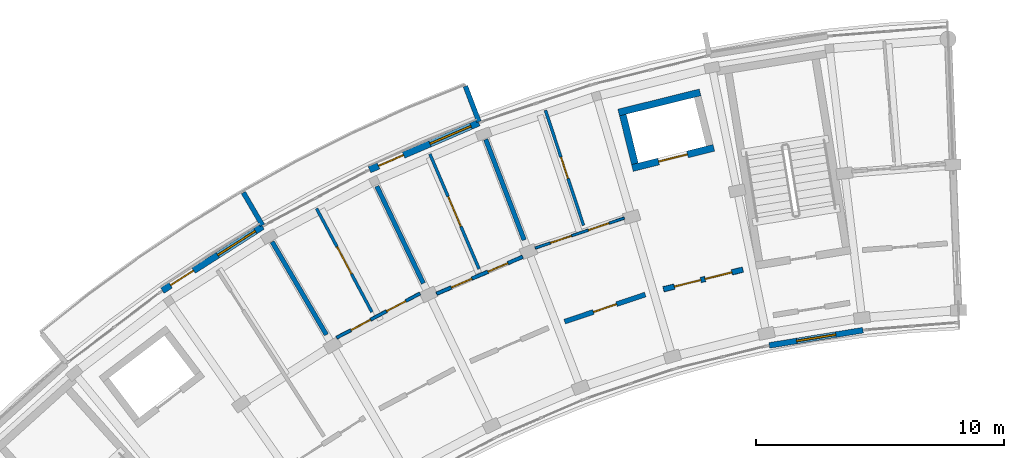
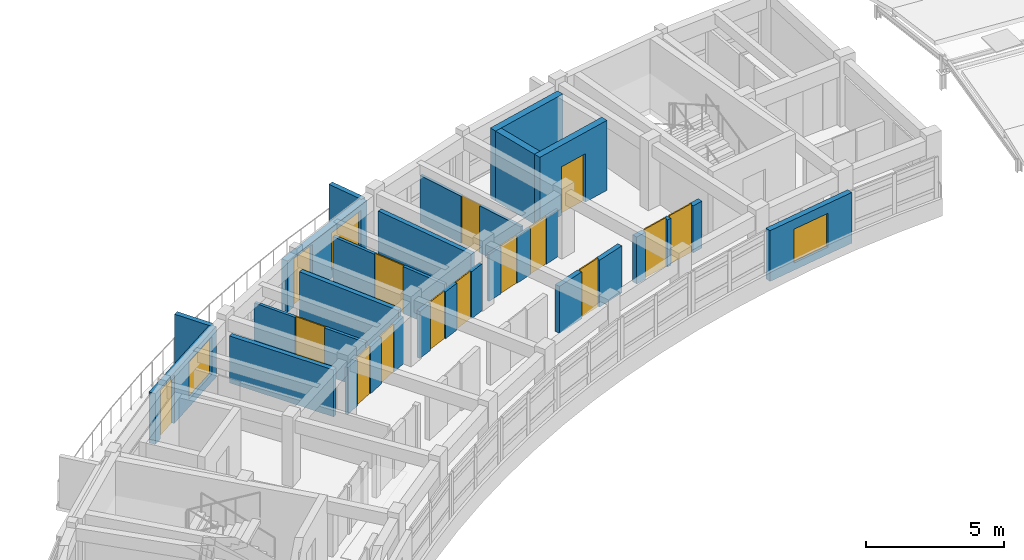
# One storey, part 16 of 20: 19 walls, 15 doors, 3 windows, 18 openings.
"""IFC4 building model written with IfcOpenShell, lengths in metres."""

from ifc_helpers import new_model, si_unit, direction, frame, frame_2d, origin, place, context, subcontext, project, spatial, rectangle, extrude, material, layer, layer_set, type_object, element, fill, save


model = new_model("IFC4")

# Units and contexts
model_context = context("Model", 3, precision=1e-05, world=origin(), true_north=direction((0.0, 1.0)))
body_context = subcontext(model_context, "Body", "Model", "MODEL_VIEW")
ifc_project = project(units=[si_unit("LENGTHUNIT", "METRE"), si_unit("AREAUNIT", "SQUARE_METRE"), si_unit("VOLUMEUNIT", "CUBIC_METRE"), si_unit("PLANEANGLEUNIT", "RADIAN"), si_unit("MASSUNIT", "GRAM", prefix="KILO")], contexts=[model_context])

# Site, building, storey
site_placement = place(None, origin())
site = spatial("IfcSite", under=ifc_project, at=site_placement, CompositionType="ELEMENT")
building_placement = place(site_placement, origin())
building = spatial("IfcBuilding", under=site, at=building_placement, Name="Zimvara Arc Housing Community", CompositionType="ELEMENT")
storey_placement = place(building_placement, frame((0.0, 0.0, 39.10009765625)))
storey = spatial("IfcBuildingStorey", under=building, at=storey_placement, Name="L12", CompositionType="ELEMENT", Elevation=39.10009765625)

# Wall, opening, window
ifc_material_1 = material(Name="Board-Marked Fair-Faced Concrete C35/45", Category="concrete")
ifc_layer_1 = layer(ifc_material_1, 0.22998046875)
ifc_layer_set_1 = layer_set([ifc_layer_1], Name="Board-Marked Fair-Faced Concrete C35/45")
wall_type_1 = type_object("IfcWallType", Name="EWL-CONC-230", PredefinedType="SOLIDWALL", material=ifc_layer_set_1)
wall_1_placement = place(storey_placement, frame((35.51708984375, 90.96142578125, 0.0), z_axis=(0.0, 0.0, 1.0), x_axis=(0.987080708519, 0.160223827412, 0.0)))
wall_1 = element("IfcWall", 1, at=wall_1_placement, inside=storey, type_object=wall_type_1, Name="ewall:blkA:L12:in:b8", PredefinedType="SOLIDWALL", context=body_context, shape_type="SweptSolid", body=[
    extrude(rectangle(XDim=3.832275390625, YDim=0.22998046875, at=frame_2d((1.916015625, 0.0))), origin(), (0.0, 0.0, 1.0), 2.25),
])
opening_1_placement = place(wall_1_placement, frame((1.1162109375, 0.0, 0.320068359375)))
opening_1 = element("IfcOpeningElement", 2, at=opening_1_placement, cuts=wall_1, Name="Opening W03", PredefinedType="OPENING", context=body_context, shape_type="SweptSolid", body=[
    extrude(rectangle(XDim=1.60009765625, YDim=1.5, at=frame_2d((0.800048828125, 0.75))), frame((0.0, 0.125, 0.0), z_axis=(0.0, -1.0, 0.0), x_axis=(1.0, 0.0, 0.0)), (0.0, 0.0, 1.0), 0.25),
])
ifc_material_2 = material(Name="Solar Control Low-E Double Glazing", Category="glass")
window_type_1 = type_object("IfcWindowType", Name="WIN-RES-1600x1500", PartitioningType="DOUBLE_PANEL_VERTICAL", PredefinedType="WINDOW", material=ifc_material_2)
window_1_placement = place(opening_1_placement, origin())
window_1 = element("IfcWindow", 3, at=window_1_placement, inside=storey, type_object=window_type_1, Name="win:blkA:L12:in:b8", OverallHeight=1.5, OverallWidth=1.60009765625, PartitioningType="DOUBLE_PANEL_VERTICAL", PredefinedType="WINDOW", context=body_context, shape_type="SweptSolid", body=[
    extrude(rectangle(XDim=1.60009765625, YDim=1.5, at=frame_2d((0.800048828125, 0.75))), frame((0.0, 0.030029296875, 0.0), z_axis=(0.0, -1.0, 0.0), x_axis=(1.0, 0.0, 0.0)), (0.0, 0.0, 1.0), 0.06005859375),
])
fill(opening_1, window_1)

# Walls
ifc_material_3 = material(Name="Board-Marked Fair-Faced Concrete C35/45", Category="concrete")
ifc_layer_2 = layer(ifc_material_3, 0.195068359375)
ifc_layer_set_2 = layer_set([ifc_layer_2], Name="Board-Marked Fair-Faced Concrete C35/45")
wall_type_2 = type_object("IfcWallType", Name="EWL-PARA-195", PredefinedType="PARAPET", material=ifc_layer_set_2)
for number, where, z_axis, x_axis, name in (
    (4, (15.038818359375, 95.8134765625, 0.0), (0.0, 0.0, 1.0), (-0.504228145431, 0.863570481985, 0.0), "finwall:blkA:L12:out:b4"),
    (5, (23.783203125, 100.0029296875, 0.0), (0.0, 0.0, 1.0), (-0.356957296461, 0.934120703391, 0.0), "finwall:blkA:L12:out:b6"),
):
    element("IfcWall", number, at=place(storey_placement, frame(where, z_axis=z_axis, x_axis=x_axis)), inside=storey, type_object=wall_type_2, Name=name, PredefinedType="PARAPET", context=body_context, shape_type="SweptSolid", body=[
        extrude(rectangle(XDim=1.530029296875, YDim=0.195068359375, at=frame_2d((0.76513671875, 0.0))), origin(), (0.0, 0.0, 1.0), 2.25),
    ])

# Wall, openings, door, window
ifc_material_4 = material(Name="Board-Marked Fair-Faced Concrete C35/45", Category="concrete")
ifc_layer_3 = layer(ifc_material_4, 0.261962890625)
ifc_layer_set_3 = layer_set([ifc_layer_3], Name="Board-Marked Fair-Faced Concrete C35/45")
wall_type_3 = type_object("IfcWallType", Name="EWL-VAR-20", PredefinedType="SOLIDWALL", material=ifc_layer_set_3)
wall_2_placement = place(storey_placement, frame((10.991943359375, 93.17578125, 0.0), z_axis=(0.0, 0.0, 1.0), x_axis=(0.84226218024, 0.539068103061, 0.0)))
wall_2 = element("IfcWall", 6, at=wall_2_placement, inside=storey, type_object=wall_type_3, Name="ewall:blkA:L12:out:b3", PredefinedType="SOLIDWALL", context=body_context, shape_type="SweptSolid", body=[
    extrude(rectangle(XDim=4.808837890625, YDim=0.261962890625, at=frame_2d((2.404296875, 0.0))), origin(), (0.0, 0.0, 1.0), 2.25),
])
opening_2_placement = place(wall_2_placement, frame((0.39990234375, 0.0, 0.0)))
opening_2 = element("IfcOpeningElement", 7, at=opening_2_placement, cuts=wall_2, Name="Opening ED06", PredefinedType="OPENING", context=body_context, shape_type="SweptSolid", body=[
    extrude(rectangle(XDim=1.10009765625, YDim=2.14990234375, at=frame_2d((0.550048828125, 1.074951171875))), frame((0.0, 0.140869140625, 0.0), z_axis=(0.0, -1.0, 0.0), x_axis=(1.0, 0.0, 0.0)), (0.0, 0.0, 1.0), 0.281982421875),
])
opening_3_placement = place(wall_2_placement, frame((2.658935546875, 0.0, 0.35009765625)))
opening_3 = element("IfcOpeningElement", 8, at=opening_3_placement, cuts=wall_2, Name="Opening W08", PredefinedType="OPENING", context=body_context, shape_type="SweptSolid", body=[
    extrude(rectangle(XDim=1.800048828125, YDim=1.64990234375, at=frame_2d((0.89990234375, 0.824951171875))), frame((0.0, 0.140869140625, 0.0), z_axis=(0.0, -1.0, 0.0), x_axis=(1.0, 0.0, 0.0)), (0.0, 0.0, 1.0), 0.281982421875),
])
ifc_material_5 = material(Name="Anodised Aluminium AW-6063", Category="aluminium")
door_type_1 = type_object("IfcDoorType", Name="EDR-TERR-1100x2150", OperationType="NOTDEFINED", PredefinedType="DOOR", material=ifc_material_5)
door_1_placement = place(opening_2_placement, origin())
door_1 = element("IfcDoor", 9, at=door_1_placement, inside=storey, type_object=door_type_1, Name="edoor:blkA:L12:bal_out:b3", OperationType="SINGLE_SWING_LEFT", OverallHeight=2.14990234375, OverallWidth=1.10009765625, PredefinedType="DOOR", context=body_context, shape_type="SweptSolid", body=[
    extrude(rectangle(XDim=1.10009765625, YDim=2.14990234375, at=frame_2d((0.550048828125, 1.074951171875))), frame((0.0, 0.02490234375, 0.0), z_axis=(0.0, -1.0, 0.0), x_axis=(1.0, 0.0, 0.0)), (0.0, 0.0, 1.0), 0.050048828125),
])
fill(opening_2, door_1)
ifc_material_6 = material(Name="Solar Control Low-E Double Glazing", Category="glass")
window_type_2 = type_object("IfcWindowType", Name="WIN-RES-1800x1650", PartitioningType="TRIPLE_PANEL_VERTICAL", PredefinedType="WINDOW", material=ifc_material_6)
window_2_placement = place(opening_3_placement, origin())
window_2 = element("IfcWindow", 10, at=window_2_placement, inside=storey, type_object=window_type_2, Name="win:blkA:L12:out:b3:balw", OverallHeight=1.64990234375, OverallWidth=1.800048828125, PartitioningType="TRIPLE_PANEL_VERTICAL", PredefinedType="WINDOW", context=body_context, shape_type="SweptSolid", body=[
    extrude(rectangle(XDim=1.800048828125, YDim=1.64990234375, at=frame_2d((0.89990234375, 0.824951171875))), frame((0.0, 0.030029296875, 0.0), z_axis=(0.0, -1.0, 0.0), x_axis=(1.0, 0.0, 0.0)), (0.0, 0.0, 1.0), 0.06005859375),
])
fill(opening_3, window_2)

ifc_material_7 = material(Name="Board-Marked Fair-Faced Concrete C35/45", Category="concrete")
ifc_layer_4 = layer(ifc_material_7, 0.27197265625)
ifc_layer_set_4 = layer_set([ifc_layer_4], Name="Board-Marked Fair-Faced Concrete C35/45")
wall_type_4 = type_object("IfcWallType", Name="EWL-VAR-22", PredefinedType="SOLIDWALL", material=ifc_layer_set_4)
wall_3_placement = place(storey_placement, frame((19.361083984375, 98.05859375, 0.0), z_axis=(0.0, 0.0, 1.0), x_axis=(0.918711189033, 0.394930058548, 0.0)))
wall_3 = element("IfcWall", 11, at=wall_3_placement, inside=storey, type_object=wall_type_4, Name="ewall:blkA:L12:out:b5", PredefinedType="SOLIDWALL", context=body_context, shape_type="SweptSolid", body=[
    extrude(rectangle(XDim=4.808837890625, YDim=0.27197265625, at=frame_2d((2.404296875, 0.0))), origin(), (0.0, 0.0, 1.0), 2.25),
])
opening_4_placement = place(wall_3_placement, frame((0.39990234375, 0.0, 0.0)))
opening_4 = element("IfcOpeningElement", 12, at=opening_4_placement, cuts=wall_3, Name="Opening ED06", PredefinedType="OPENING", context=body_context, shape_type="SweptSolid", body=[
    extrude(rectangle(XDim=1.10009765625, YDim=2.14990234375, at=frame_2d((0.550048828125, 1.074951171875))), frame((0.0, 0.14599609375, 0.0), z_axis=(0.0, -1.0, 0.0), x_axis=(1.0, 0.0, 0.0)), (0.0, 0.0, 1.0), 0.2919921875),
])
opening_5_placement = place(wall_3_placement, frame((2.658935546875, 0.0, 0.35009765625)))
opening_5 = element("IfcOpeningElement", 13, at=opening_5_placement, cuts=wall_3, Name="Opening W08", PredefinedType="OPENING", context=body_context, shape_type="SweptSolid", body=[
    extrude(rectangle(XDim=1.800048828125, YDim=1.64990234375, at=frame_2d((0.89990234375, 0.824951171875))), frame((0.0, 0.14599609375, 0.0), z_axis=(0.0, -1.0, 0.0), x_axis=(1.0, 0.0, 0.0)), (0.0, 0.0, 1.0), 0.2919921875),
])
door_2_placement = place(opening_4_placement, origin())
door_2 = element("IfcDoor", 14, at=door_2_placement, inside=storey, type_object=door_type_1, Name="edoor:blkA:L12:bal_out:b5", OperationType="SINGLE_SWING_LEFT", OverallHeight=2.14990234375, OverallWidth=1.10009765625, PredefinedType="DOOR", context=body_context, shape_type="SweptSolid", body=[
    extrude(rectangle(XDim=1.10009765625, YDim=2.14990234375, at=frame_2d((0.550048828125, 1.074951171875))), frame((0.0, 0.02490234375, 0.0), z_axis=(0.0, -1.0, 0.0), x_axis=(1.0, 0.0, 0.0)), (0.0, 0.0, 1.0), 0.050048828125),
])
fill(opening_4, door_2)
window_3_placement = place(opening_5_placement, origin())
window_3 = element("IfcWindow", 15, at=window_3_placement, inside=storey, type_object=window_type_2, Name="win:blkA:L12:out:b5:balw", OverallHeight=1.64990234375, OverallWidth=1.800048828125, PartitioningType="TRIPLE_PANEL_VERTICAL", PredefinedType="WINDOW", context=body_context, shape_type="SweptSolid", body=[
    extrude(rectangle(XDim=1.800048828125, YDim=1.64990234375, at=frame_2d((0.89990234375, 0.824951171875))), frame((0.0, 0.030029296875, 0.0), z_axis=(0.0, -1.0, 0.0), x_axis=(1.0, 0.0, 0.0)), (0.0, 0.0, 1.0), 0.06005859375),
])
fill(opening_5, window_3)

# Wall, openings, doors
ifc_material_8 = material(Name="Concrete C35/45", Category="concrete")
ifc_layer_5 = layer(ifc_material_8, 0.2099609375)
ifc_layer_set_5 = layer_set([ifc_layer_5], Name="Concrete C35/45")
wall_type_5 = type_object("IfcWallType", Name="IWL-CCF-210", PredefinedType="SOLIDWALL", material=ifc_layer_set_5)
wall_4_placement = place(storey_placement, frame((31.242919921875, 93.22998046875, 0.0), z_axis=(0.0, 0.0, 1.0), x_axis=(0.970719238682, 0.240216901263, 0.0)))
wall_4 = element("IfcWall", 16, at=wall_4_placement, inside=storey, type_object=wall_type_5, Name="iwall:blkA:L12:ll_div:b7", PredefinedType="SOLIDWALL", context=body_context, shape_type="SweptSolid", body=[
    extrude(rectangle(XDim=3.2958984375, YDim=0.2099609375, at=frame_2d((1.64794921875, 0.0))), origin(), (0.0, 0.0, 1.0), 2.079833984375),
])
opening_6_placement = place(wall_4_placement, frame((0.449951171875, 0.0, 0.0)))
opening_6 = element("IfcOpeningElement", 17, at=opening_6_placement, cuts=wall_4, Name="Opening FD-CCF1", PredefinedType="OPENING", context=body_context, shape_type="SweptSolid", body=[
    extrude(rectangle(XDim=1.10009765625, YDim=2.14990234375, at=frame_2d((0.550048828125, 1.074951171875))), frame((0.0, 0.114990234375, 0.0), z_axis=(0.0, -1.0, 0.0), x_axis=(1.0, 0.0, 0.0)), (0.0, 0.0, 1.0), 0.22998046875),
])
opening_7_placement = place(wall_4_placement, frame((1.72607421875, 0.0, 0.0)))
opening_7 = element("IfcOpeningElement", 18, at=opening_7_placement, cuts=wall_4, Name="Opening D07", PredefinedType="OPENING", context=body_context, shape_type="SweptSolid", body=[
    extrude(rectangle(XDim=1.1201171875, YDim=2.14990234375, at=frame_2d((0.56005859375, 1.074951171875))), frame((0.0, 0.114990234375, 0.0), z_axis=(0.0, -1.0, 0.0), x_axis=(1.0, 0.0, 0.0)), (0.0, 0.0, 1.0), 0.22998046875),
])
ifc_material_9 = material(Name="Mozambican Hardwood", Category="wood")
door_type_2 = type_object("IfcDoorType", Name="IDR-AMN-1120x2150", OperationType="NOTDEFINED", PredefinedType="DOOR", material=ifc_material_9)
door_3_placement = place(opening_7_placement, origin())
door_3 = element("IfcDoor", 19, at=door_3_placement, inside=storey, type_object=door_type_2, Name="idoor:blkA:L12:rs_in:b7", OperationType="SINGLE_SWING_LEFT", OverallHeight=2.14990234375, OverallWidth=1.1201171875, PredefinedType="DOOR", context=body_context, shape_type="SweptSolid", body=[
    extrude(rectangle(XDim=1.1201171875, YDim=2.14990234375, at=frame_2d((0.56005859375, 1.074951171875))), frame((0.0, 0.02490234375, 0.0), z_axis=(0.0, -1.0, 0.0), x_axis=(1.0, 0.0, 0.0)), (0.0, 0.0, 1.0), 0.050048828125),
])
fill(opening_7, door_3)
ifc_material_10 = material(Name="Anodised Aluminium AW-6063", Category="aluminium")
door_type_3 = type_object("IfcDoorType", Name="IDR-CCF-1100x2150", OperationType="NOTDEFINED", PredefinedType="DOOR", material=ifc_material_10)
door_4_placement = place(opening_6_placement, origin())
door_4 = element("IfcDoor", 20, at=door_4_placement, inside=storey, type_object=door_type_3, Name="idoor:blkA:L12:ll_in:b7", OperationType="SINGLE_SWING_RIGHT", OverallHeight=2.14990234375, OverallWidth=1.10009765625, PredefinedType="DOOR", context=body_context, shape_type="SweptSolid", body=[
    extrude(rectangle(XDim=1.10009765625, YDim=2.14990234375, at=frame_2d((0.550048828125, 1.074951171875))), frame((0.0, 0.02490234375, 0.0), z_axis=(0.0, -1.0, 0.0), x_axis=(1.0, 0.0, 0.0)), (0.0, 0.0, 1.0), 0.050048828125),
])
fill(opening_6, door_4)

# Wall, opening, door
ifc_material_11 = material(Name="Concrete C35/45", Category="concrete")
ifc_layer_6 = layer(ifc_material_11, 0.199951171875)
ifc_layer_set_6 = layer_set([ifc_layer_6], Name="Concrete C35/45")
wall_type_6 = type_object("IfcWallType", Name="IWL-CORR-200", PredefinedType="SOLIDWALL", material=ifc_layer_set_6)
wall_5_placement = place(storey_placement, frame((27.24658203125, 91.922607421875, 0.0), z_axis=(0.0, 0.0, 1.0), x_axis=(0.947863007629, 0.318678080151, 0.0)))
wall_5 = element("IfcWall", 21, at=wall_5_placement, inside=storey, type_object=wall_type_6, Name="iwall:blkA:L12:corr_out:b6", PredefinedType="SOLIDWALL", context=body_context, shape_type="SweptSolid", body=[
    extrude(rectangle(XDim=3.43603515625, YDim=0.199951171875, at=frame_2d((1.718017578125, 0.0))), origin(), (0.0, 0.0, 1.0), 2.079833984375),
])
opening_8_placement = place(wall_5_placement, frame((1.22802734375, 0.0, 0.0)))
opening_8 = element("IfcOpeningElement", 22, at=opening_8_placement, cuts=wall_5, Name="Opening FD-FL1", PredefinedType="OPENING", context=body_context, shape_type="SweptSolid", body=[
    extrude(rectangle(XDim=0.97998046875, YDim=2.14990234375, at=frame_2d((0.489990234375, 1.074951171875))), frame((0.0, 0.10986328125, 0.0), z_axis=(0.0, -1.0, 0.0), x_axis=(1.0, 0.0, 0.0)), (0.0, 0.0, 1.0), 0.219970703125),
])
ifc_material_12 = material(Name="Mozambican Hardwood", Category="wood")
door_type_4 = type_object("IfcDoorType", Name="IDR-FLAT-0980x2150", OperationType="NOTDEFINED", PredefinedType="DOOR", material=ifc_material_12)
door_5_placement = place(opening_8_placement, origin())
door_5 = element("IfcDoor", 23, at=door_5_placement, inside=storey, type_object=door_type_4, Name="idoor:blkA:L12:flat:b6", OperationType="SINGLE_SWING_RIGHT", OverallHeight=2.14990234375, OverallWidth=0.97998046875, PredefinedType="DOOR", context=body_context, shape_type="SweptSolid", body=[
    extrude(rectangle(XDim=0.97998046875, YDim=2.14990234375, at=frame_2d((0.489990234375, 1.074951171875))), frame((0.0, 0.02490234375, 0.0), z_axis=(0.0, -1.0, 0.0), x_axis=(1.0, 0.0, 0.0)), (0.0, 0.0, 1.0), 0.050048828125),
])
fill(opening_8, door_5)

# Walls
ifc_material_13 = material(Name="Concrete C35/45", Category="concrete")
ifc_layer_7 = layer(ifc_material_13, 0.18505859375)
ifc_layer_set_7 = layer_set([ifc_layer_7], Name="Concrete C35/45")
wall_type_7 = type_object("IfcWallType", Name="IWL-FLAT-185", PredefinedType="SOLIDWALL", material=ifc_layer_set_7)
for number, where, z_axis, x_axis, name in (
    (24, (17.62060546875, 91.391845703125, 0.0), (0.0, 0.0, 1.0), (-0.504216452091, 0.863577309475, 0.0), "iwall:blkA:L12:party:b4"),
    (25, (21.537841796875, 93.469482421875, 0.0), (0.0, 0.0, 1.0), (-0.432086898897, 0.901831975371, 0.0), "iwall:blkA:L12:party:b5"),
    (26, (25.611328125, 95.220458984375, 0.0), (0.0, 0.0, 1.0), (-0.357064016205, 0.934079915388, 0.0), "iwall:blkA:L12:party:b6"),
):
    element("IfcWall", number, at=place(storey_placement, frame(where, z_axis=z_axis, x_axis=x_axis)), inside=storey, type_object=wall_type_7, Name=name, PredefinedType="SOLIDWALL", context=body_context, shape_type="SweptSolid", body=[
        extrude(rectangle(XDim=4.35009765625, YDim=0.18505859375, at=frame_2d((2.175048828125, 0.0))), origin(), (0.0, 0.0, 1.0), 2.079833984375),
    ])

# Wall, openings, doors
ifc_material_14 = material(Name="Painted Acoustic Plasterboard")
ifc_layer_8 = layer(ifc_material_14, 0.10009765625)
ifc_layer_set_8 = layer_set([ifc_layer_8], Name="Painted Acoustic Plasterboard")
wall_type_8 = type_object("IfcWallType", Name="IWL-PART-100", PredefinedType="PARTITIONING", material=ifc_layer_set_8)
wall_6_placement = place(storey_placement, frame((26.056396484375, 94.895751953125, 0.0), z_axis=(0.0, 0.0, 1.0), x_axis=(0.947876567739, 0.318637744673, 0.0)))
wall_6 = element("IfcWall", 27, at=wall_6_placement, inside=storey, type_object=wall_type_8, Name="iwall:blkA:L12:srv:b6", PredefinedType="PARTITIONING", context=body_context, shape_type="SweptSolid", body=[
    extrude(rectangle(XDim=3.79736328125, YDim=0.10009765625, at=frame_2d((1.898681640625, 0.0))), origin(), (0.0, 0.0, 1.0), 2.079833984375),
])
opening_9_placement = place(wall_6_placement, frame((0.64990234375, 0.0, 0.0)))
opening_9 = element("IfcOpeningElement", 28, at=opening_9_placement, cuts=wall_6, Name="Opening D01", PredefinedType="OPENING", context=body_context, shape_type="SweptSolid", body=[
    extrude(rectangle(XDim=0.89990234375, YDim=2.10009765625, at=frame_2d((0.449951171875, 1.050048828125))), frame((0.0, 0.06005859375, 0.0), z_axis=(0.0, -1.0, 0.0), x_axis=(1.0, 0.0, 0.0)), (0.0, 0.0, 1.0), 0.1201171875),
])
opening_10_placement = place(wall_6_placement, frame((2.267333984375, 0.0, 0.0)))
opening_10 = element("IfcOpeningElement", 29, at=opening_10_placement, cuts=wall_6, Name="Opening D05", PredefinedType="OPENING", context=body_context, shape_type="SweptSolid", body=[
    extrude(rectangle(XDim=0.8798828125, YDim=2.10009765625, at=frame_2d((0.43994140625, 1.050048828125))), frame((0.0, 0.06005859375, 0.0), z_axis=(0.0, -1.0, 0.0), x_axis=(1.0, 0.0, 0.0)), (0.0, 0.0, 1.0), 0.1201171875),
])
ifc_material_15 = material(Name="Mozambican Hardwood", Category="wood")
door_type_5 = type_object("IfcDoorType", Name="IDR-RM-0900x2100", OperationType="NOTDEFINED", PredefinedType="DOOR", material=ifc_material_15)
door_6_placement = place(opening_9_placement, origin())
door_6 = element("IfcDoor", 30, at=door_6_placement, inside=storey, type_object=door_type_5, Name="idoor:blkA:L12:kit_liv:b6", OperationType="SINGLE_SWING_LEFT", OverallHeight=2.10009765625, OverallWidth=0.89990234375, PredefinedType="DOOR", context=body_context, shape_type="SweptSolid", body=[
    extrude(rectangle(XDim=0.89990234375, YDim=2.10009765625, at=frame_2d((0.449951171875, 1.050048828125))), frame((0.0, 0.02490234375, 0.0), z_axis=(0.0, -1.0, 0.0), x_axis=(1.0, 0.0, 0.0)), (0.0, 0.0, 1.0), 0.050048828125),
])
fill(opening_9, door_6)
ifc_material_16 = material(Name="Mozambican Hardwood", Category="wood")
door_type_6 = type_object("IfcDoorType", Name="IDR-WC-0880x2100", OperationType="NOTDEFINED", PredefinedType="DOOR", material=ifc_material_16)
door_7_placement = place(opening_10_placement, origin())
door_7 = element("IfcDoor", 31, at=door_7_placement, inside=storey, type_object=door_type_6, Name="idoor:blkA:L12:bath_d:b6", OperationType="SINGLE_SWING_RIGHT", OverallHeight=2.10009765625, OverallWidth=0.8798828125, PredefinedType="DOOR", context=body_context, shape_type="SweptSolid", body=[
    extrude(rectangle(XDim=0.8798828125, YDim=2.10009765625, at=frame_2d((0.43994140625, 1.050048828125))), frame((0.0, 0.02490234375, 0.0), z_axis=(0.0, -1.0, 0.0), x_axis=(1.0, 0.0, 0.0)), (0.0, 0.0, 1.0), 0.050048828125),
])
fill(opening_10, door_7)

# Wall, opening, door
ifc_material_17 = material(Name="Painted Acoustic Plasterboard")
ifc_layer_9 = layer(ifc_material_17, 0.1201171875)
ifc_layer_set_9 = layer_set([ifc_layer_9], Name="Painted Acoustic Plasterboard")
wall_type_9 = type_object("IfcWallType", Name="IWL-PART-120", PredefinedType="PARTITIONING", material=ifc_layer_set_9)
wall_7_placement = place(storey_placement, frame((19.46044921875, 92.3056640625, 0.0), z_axis=(0.0, 0.0, 1.0), x_axis=(-0.471228378949, 0.88201123285, 0.0)))
wall_7 = element("IfcWall", 32, at=wall_7_placement, inside=storey, type_object=wall_type_9, Name="iwall:blkA:L12:bed_div:b4", PredefinedType="PARTITIONING", context=body_context, shape_type="SweptSolid", body=[
    extrude(rectangle(XDim=4.75, YDim=0.1201171875, at=frame_2d((2.375, 0.0))), origin(), (0.0, 0.0, 1.0), 2.079833984375),
])
opening_11_placement = place(wall_7_placement, frame((1.7548828125, 0.0, 0.0)))
opening_11 = element("IfcOpeningElement", 33, at=opening_11_placement, cuts=wall_7, Name="Opening D19", PredefinedType="OPENING", context=body_context, shape_type="SweptSolid", body=[
    extrude(rectangle(XDim=1.239990234375, YDim=2.10009765625, at=frame_2d((0.6201171875, 1.050048828125))), frame((0.0, 0.070068359375, 0.0), z_axis=(0.0, -1.0, 0.0), x_axis=(1.0, 0.0, 0.0)), (0.0, 0.0, 1.0), 0.14013671875),
])
ifc_material_18 = material(Name="Mozambican Hardwood", Category="wood")
door_type_7 = type_object("IfcDoorType", Name="IDR-MOD-1240x2180", OperationType="NOTDEFINED", PredefinedType="DOOR", material=ifc_material_18)
door_8_placement = place(opening_11_placement, origin())
door_8 = element("IfcDoor", 34, at=door_8_placement, inside=storey, type_object=door_type_7, Name="idoor:blkA:L12:bed_d:b4", OperationType="SINGLE_SWING_LEFT", OverallHeight=2.10009765625, OverallWidth=1.239990234375, PredefinedType="DOOR", context=body_context, shape_type="SweptSolid", body=[
    extrude(rectangle(XDim=1.239990234375, YDim=2.10009765625, at=frame_2d((0.6201171875, 1.050048828125))), frame((0.0, 0.02490234375, 0.0), z_axis=(0.0, -1.0, 0.0), x_axis=(1.0, 0.0, 0.0)), (0.0, 0.0, 1.0), 0.050048828125),
])
fill(opening_11, door_8)

wall_8_placement = place(storey_placement, frame((23.789306640625, 94.05126953125, 0.0), z_axis=(0.0, 0.0, 1.0), x_axis=(-0.393539995583, 0.919307495823, 0.0)))
wall_8 = element("IfcWall", 35, at=wall_8_placement, inside=storey, type_object=wall_type_9, Name="iwall:blkA:L12:bed_div:b5", PredefinedType="PARTITIONING", context=body_context, shape_type="SweptSolid", body=[
    extrude(rectangle(XDim=5.0498046875, YDim=0.1201171875, at=frame_2d((2.52490234375, 0.0))), origin(), (0.0, 0.0, 1.0), 2.079833984375),
])
opening_12_placement = place(wall_8_placement, frame((1.875, 0.0, 0.0)))
opening_12 = element("IfcOpeningElement", 36, at=opening_12_placement, cuts=wall_8, Name="Opening D20", PredefinedType="OPENING", context=body_context, shape_type="SweptSolid", body=[
    extrude(rectangle(XDim=1.300048828125, YDim=2.10009765625, at=frame_2d((0.64990234375, 1.050048828125))), frame((0.0, 0.070068359375, 0.0), z_axis=(0.0, -1.0, 0.0), x_axis=(1.0, 0.0, 0.0)), (0.0, 0.0, 1.0), 0.14013671875),
])
ifc_material_19 = material(Name="Mozambican Hardwood", Category="wood")
door_type_8 = type_object("IfcDoorType", Name="IDR-MOD-1300x2240", OperationType="NOTDEFINED", PredefinedType="DOOR", material=ifc_material_19)
door_9_placement = place(opening_12_placement, origin())
door_9 = element("IfcDoor", 37, at=door_9_placement, inside=storey, type_object=door_type_8, Name="idoor:blkA:L12:bed_d:b5", OperationType="SINGLE_SWING_LEFT", OverallHeight=2.10009765625, OverallWidth=1.300048828125, PredefinedType="DOOR", context=body_context, shape_type="SweptSolid", body=[
    extrude(rectangle(XDim=1.300048828125, YDim=2.10009765625, at=frame_2d((0.64990234375, 1.050048828125))), frame((0.0, 0.02490234375, 0.0), z_axis=(0.0, -1.0, 0.0), x_axis=(1.0, 0.0, 0.0)), (0.0, 0.0, 1.0), 0.050048828125),
])
fill(opening_12, door_9)

wall_9_placement = place(storey_placement, frame((28.010009765625, 95.810302734375, 0.0), z_axis=(0.0, 0.0, 1.0), x_axis=(-0.314343770763, 0.949309219266, 0.0)))
wall_9 = element("IfcWall", 38, at=wall_9_placement, inside=storey, type_object=wall_type_9, Name="iwall:blkA:L12:bed_div:b6", PredefinedType="PARTITIONING", context=body_context, shape_type="SweptSolid", body=[
    extrude(rectangle(XDim=4.89990234375, YDim=0.1201171875, at=frame_2d((2.449951171875, 0.0))), origin(), (0.0, 0.0, 1.0), 2.079833984375),
])
opening_13_placement = place(wall_9_placement, frame((2.0, 0.0, 0.0)))
opening_13 = element("IfcOpeningElement", 39, at=opening_13_placement, cuts=wall_9, Name="Opening D01", PredefinedType="OPENING", context=body_context, shape_type="SweptSolid", body=[
    extrude(rectangle(XDim=0.89990234375, YDim=2.10009765625, at=frame_2d((0.449951171875, 1.050048828125))), frame((0.0, 0.070068359375, 0.0), z_axis=(0.0, -1.0, 0.0), x_axis=(1.0, 0.0, 0.0)), (0.0, 0.0, 1.0), 0.14013671875),
])
door_10_placement = place(opening_13_placement, origin())
door_10 = element("IfcDoor", 40, at=door_10_placement, inside=storey, type_object=door_type_5, Name="idoor:blkA:L12:bed_d:b6", OperationType="SINGLE_SWING_LEFT", OverallHeight=2.10009765625, OverallWidth=0.89990234375, PredefinedType="DOOR", context=body_context, shape_type="SweptSolid", body=[
    extrude(rectangle(XDim=0.89990234375, YDim=2.10009765625, at=frame_2d((0.449951171875, 1.050048828125))), frame((0.0, 0.02490234375, 0.0), z_axis=(0.0, -1.0, 0.0), x_axis=(1.0, 0.0, 0.0)), (0.0, 0.0, 1.0), 0.050048828125),
])
fill(opening_13, door_10)

# Wall, openings, doors
ifc_material_20 = material(Name="Painted Acoustic Plasterboard")
ifc_layer_10 = layer(ifc_material_20, 0.125)
ifc_layer_set_10 = layer_set([ifc_layer_10], Name="Painted Acoustic Plasterboard")
wall_type_10 = type_object("IfcWallType", Name="IWL-PART-125", PredefinedType="PARTITIONING", material=ifc_layer_set_10)
wall_10_placement = place(storey_placement, frame((18.036865234375, 91.2734375, 0.0), z_axis=(0.0, 0.0, 1.0), x_axis=(0.883441603894, 0.468541281543, 0.0)))
wall_10 = element("IfcWall", 41, at=wall_10_placement, inside=storey, type_object=wall_type_10, Name="iwall:blkA:L12:srv:b4", PredefinedType="PARTITIONING", context=body_context, shape_type="SweptSolid", body=[
    extrude(rectangle(XDim=3.8095703125, YDim=0.125, at=frame_2d((1.90478515625, 0.0))), origin(), (0.0, 0.0, 1.0), 2.079833984375),
])
opening_14_placement = place(wall_10_placement, frame((0.64990234375, 0.0, 0.0)))
opening_14 = element("IfcOpeningElement", 42, at=opening_14_placement, cuts=wall_10, Name="Opening D01", PredefinedType="OPENING", context=body_context, shape_type="SweptSolid", body=[
    extrude(rectangle(XDim=0.89990234375, YDim=2.10009765625, at=frame_2d((0.449951171875, 1.050048828125))), frame((0.0, 0.072509765625, 0.0), z_axis=(0.0, -1.0, 0.0), x_axis=(1.0, 0.0, 0.0)), (0.0, 0.0, 1.0), 0.14501953125),
])
opening_15_placement = place(wall_10_placement, frame((2.279541015625, 0.0, 0.0)))
opening_15 = element("IfcOpeningElement", 43, at=opening_15_placement, cuts=wall_10, Name="Opening D05", PredefinedType="OPENING", context=body_context, shape_type="SweptSolid", body=[
    extrude(rectangle(XDim=0.8798828125, YDim=2.10009765625, at=frame_2d((0.43994140625, 1.050048828125))), frame((0.0, 0.072509765625, 0.0), z_axis=(0.0, -1.0, 0.0), x_axis=(1.0, 0.0, 0.0)), (0.0, 0.0, 1.0), 0.14501953125),
])
door_11_placement = place(opening_14_placement, origin())
door_11 = element("IfcDoor", 44, at=door_11_placement, inside=storey, type_object=door_type_5, Name="idoor:blkA:L12:kit_liv:b4", OperationType="SINGLE_SWING_LEFT", OverallHeight=2.10009765625, OverallWidth=0.89990234375, PredefinedType="DOOR", context=body_context, shape_type="SweptSolid", body=[
    extrude(rectangle(XDim=0.89990234375, YDim=2.10009765625, at=frame_2d((0.449951171875, 1.050048828125))), frame((0.0, 0.02490234375, 0.0), z_axis=(0.0, -1.0, 0.0), x_axis=(1.0, 0.0, 0.0)), (0.0, 0.0, 1.0), 0.050048828125),
])
fill(opening_14, door_11)
door_12_placement = place(opening_15_placement, origin())
door_12 = element("IfcDoor", 45, at=door_12_placement, inside=storey, type_object=door_type_6, Name="idoor:blkA:L12:bath_d:b4", OperationType="SINGLE_SWING_RIGHT", OverallHeight=2.10009765625, OverallWidth=0.8798828125, PredefinedType="DOOR", context=body_context, shape_type="SweptSolid", body=[
    extrude(rectangle(XDim=0.8798828125, YDim=2.10009765625, at=frame_2d((0.43994140625, 1.050048828125))), frame((0.0, 0.02490234375, 0.0), z_axis=(0.0, -1.0, 0.0), x_axis=(1.0, 0.0, 0.0)), (0.0, 0.0, 1.0), 0.050048828125),
])
fill(opening_15, door_12)

ifc_material_21 = material(Name="Painted Acoustic Plasterboard")
ifc_layer_11 = layer(ifc_material_21, 0.139892578125)
ifc_layer_set_11 = layer_set([ifc_layer_11], Name="Painted Acoustic Plasterboard")
wall_type_11 = type_object("IfcWallType", Name="IWL-PART-140", PredefinedType="PARTITIONING", material=ifc_layer_set_11)
wall_11_placement = place(storey_placement, frame((22.072509765625, 93.046875, 0.0), z_axis=(0.0, 0.0, 1.0), x_axis=(0.918737522346, 0.394868794707, 0.0)))
wall_11 = element("IfcWall", 46, at=wall_11_placement, inside=storey, type_object=wall_type_11, Name="iwall:blkA:L12:srv:b5", PredefinedType="PARTITIONING", context=body_context, shape_type="SweptSolid", body=[
    extrude(rectangle(XDim=3.78515625, YDim=0.139892578125, at=frame_2d((1.892578125, 0.0))), origin(), (0.0, 0.0, 1.0), 2.079833984375),
])
opening_16_placement = place(wall_11_placement, frame((0.64990234375, 0.0, 0.0)))
opening_16 = element("IfcOpeningElement", 47, at=opening_16_placement, cuts=wall_11, Name="Opening D01", PredefinedType="OPENING", context=body_context, shape_type="SweptSolid", body=[
    extrude(rectangle(XDim=0.89990234375, YDim=2.10009765625, at=frame_2d((0.449951171875, 1.050048828125))), frame((0.0, 0.079833984375, 0.0), z_axis=(0.0, -1.0, 0.0), x_axis=(1.0, 0.0, 0.0)), (0.0, 0.0, 1.0), 0.159912109375),
])
opening_17_placement = place(wall_11_placement, frame((2.255126953125, 0.0, 0.0)))
opening_17 = element("IfcOpeningElement", 48, at=opening_17_placement, cuts=wall_11, Name="Opening D05", PredefinedType="OPENING", context=body_context, shape_type="SweptSolid", body=[
    extrude(rectangle(XDim=0.8798828125, YDim=2.10009765625, at=frame_2d((0.43994140625, 1.050048828125))), frame((0.0, 0.079833984375, 0.0), z_axis=(0.0, -1.0, 0.0), x_axis=(1.0, 0.0, 0.0)), (0.0, 0.0, 1.0), 0.159912109375),
])
door_13_placement = place(opening_16_placement, origin())
door_13 = element("IfcDoor", 49, at=door_13_placement, inside=storey, type_object=door_type_5, Name="idoor:blkA:L12:kit_liv:b5", OperationType="SINGLE_SWING_LEFT", OverallHeight=2.10009765625, OverallWidth=0.89990234375, PredefinedType="DOOR", context=body_context, shape_type="SweptSolid", body=[
    extrude(rectangle(XDim=0.89990234375, YDim=2.10009765625, at=frame_2d((0.449951171875, 1.050048828125))), frame((0.0, 0.02490234375, 0.0), z_axis=(0.0, -1.0, 0.0), x_axis=(1.0, 0.0, 0.0)), (0.0, 0.0, 1.0), 0.050048828125),
])
fill(opening_16, door_13)
door_14_placement = place(opening_17_placement, origin())
door_14 = element("IfcDoor", 50, at=door_14_placement, inside=storey, type_object=door_type_6, Name="idoor:blkA:L12:bath_d:b5", OperationType="SINGLE_SWING_RIGHT", OverallHeight=2.10009765625, OverallWidth=0.8798828125, PredefinedType="DOOR", context=body_context, shape_type="SweptSolid", body=[
    extrude(rectangle(XDim=0.8798828125, YDim=2.10009765625, at=frame_2d((0.43994140625, 1.050048828125))), frame((0.0, 0.02490234375, 0.0), z_axis=(0.0, -1.0, 0.0), x_axis=(1.0, 0.0, 0.0)), (0.0, 0.0, 1.0), 0.050048828125),
])
fill(opening_17, door_14)

# Wall, opening, door
ifc_material_22 = material(Name="Concrete C40/50", Category="concrete")
ifc_layer_12 = layer(ifc_material_22, 0.280029296875)
ifc_layer_set_12 = layer_set([ifc_layer_12], Name="Concrete C40/50")
wall_type_12 = type_object("IfcWallType", Name="WL-CORE-280", PredefinedType="SHEAR", material=ifc_layer_set_12)
wall_12_placement = place(storey_placement, frame((33.27294921875, 98.942138671875, 0.0), z_axis=(0.0, 0.0, 1.0), x_axis=(-0.970707542441, -0.240264160972, 0.0)))
wall_12 = element("IfcWall", 51, at=wall_12_placement, inside=storey, type_object=wall_type_12, Name="lwall:LF-A2:L12:front", PredefinedType="SHEAR", context=body_context, shape_type="SweptSolid", body=[
    extrude(rectangle(XDim=3.389892578125, YDim=0.280029296875, at=frame_2d((1.69482421875, 0.0))), origin(), (0.0, 0.0, 1.0), 3.099853515625),
])
opening_18_placement = place(wall_12_placement, frame((1.094970703125, 0.0, 0.0)))
opening_18 = element("IfcOpeningElement", 52, at=opening_18_placement, cuts=wall_12, Name="Opening LD-LF-A2", PredefinedType="OPENING", context=body_context, shape_type="SweptSolid", body=[
    extrude(rectangle(XDim=1.199951171875, YDim=2.14990234375, at=frame_2d((0.60009765625, 1.074951171875))), frame((0.0, 0.14990234375, 0.0), z_axis=(0.0, -1.0, 0.0), x_axis=(1.0, 0.0, 0.0)), (0.0, 0.0, 1.0), 0.300048828125),
])
ifc_material_23 = material(Name="Anodised Aluminium AW-6063", Category="aluminium")
door_type_9 = type_object("IfcDoorType", Name="IDR-LD-1200x2150", OperationType="DOUBLE_DOOR_SLIDING", PredefinedType="DOOR", material=ifc_material_23)
door_15_placement = place(opening_18_placement, origin())
door_15 = element("IfcDoor", 53, at=door_15_placement, inside=storey, type_object=door_type_9, Name="Lift LF-A2 Sliding Landing Door L12", OperationType="DOUBLE_DOOR_SLIDING", OverallHeight=2.14990234375, OverallWidth=1.199951171875, PredefinedType="DOOR", context=body_context, shape_type="SweptSolid", body=[
    extrude(rectangle(XDim=1.199951171875, YDim=2.14990234375, at=frame_2d((0.60009765625, 1.074951171875))), frame((0.0, 0.02490234375, 0.0), z_axis=(0.0, -1.0, 0.0), x_axis=(1.0, 0.0, 0.0)), (0.0, 0.0, 1.0), 0.050048828125),
])
fill(opening_18, door_15)

# Walls
wall_13_placement = place(storey_placement, frame((32.71826171875, 101.1845703125, 0.0), z_axis=(0.0, 0.0, 1.0), x_axis=(-0.970711699588, -0.240247364777, 0.0)))
element("IfcWall", 54, at=wall_13_placement, inside=storey, type_object=wall_type_12, Name="lwall:LF-A2:L12:back", PredefinedType="SHEAR", context=body_context, shape_type="SweptSolid", body=[
    extrude(rectangle(XDim=3.39013671875, YDim=0.280029296875, at=frame_2d((1.695068359375, 0.0))), origin(), (0.0, 0.0, 1.0), 3.099853515625),
])
wall_14_placement = place(storey_placement, frame((30.084716796875, 98.29736328125, 0.0), z_axis=(0.0, 0.0, 1.0), x_axis=(-0.2402993748, 0.970698825832, 0.0)))
element("IfcWall", 55, at=wall_14_placement, inside=storey, type_object=wall_type_12, Name="lwall:LF-A2:L12:right", PredefinedType="SHEAR", context=body_context, shape_type="SweptSolid", body=[
    extrude(rectangle(XDim=2.030029296875, YDim=0.280029296875, at=frame_2d((1.01513671875, 0.0))), origin(), (0.0, 0.0, 1.0), 3.099853515625),
])

save(model, "model.ifc")
